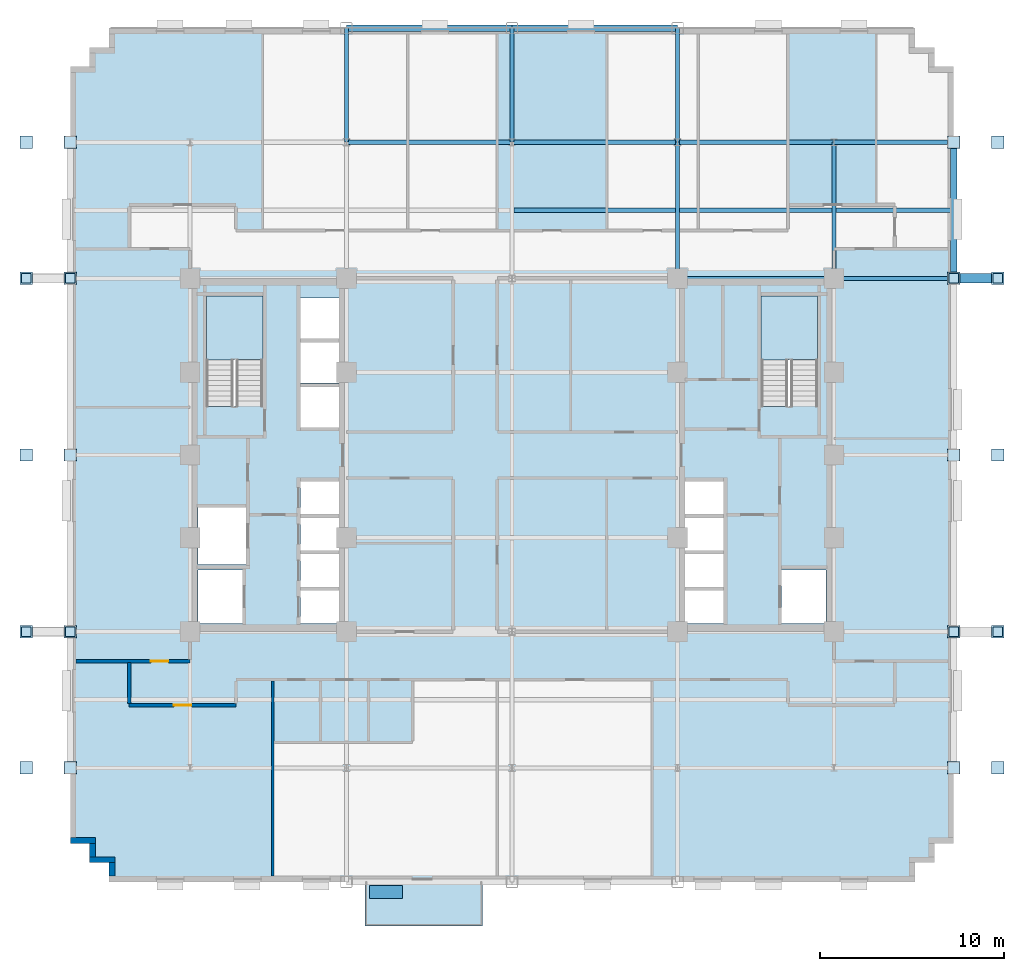
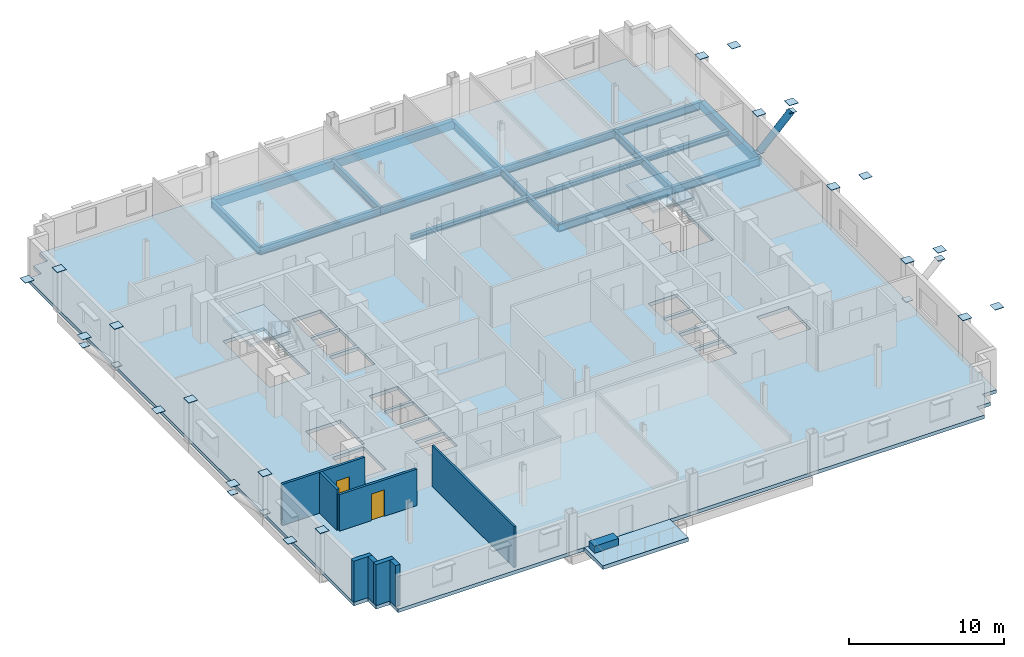
# One storey, part 5 of 14: 29 plates, 17 beams, 8 walls, 4 slabs, 2 doors, 1 member, 2 openings, 2 elements without a shape of their own.
"""IFC4 building model written with IfcOpenShell, lengths in metres."""

from ifc_helpers import new_model, si_unit, direction, frame, frame_2d, origin, origin_2d, place, context, subcontext, project, spatial, polyline, rectangle, hollow_circle, i_section, outline, extrude, source, transform, mapped, material, layer, layer_set, material_profile, profile_set, type_object, type_shapes, element, fill, aggregate, save


model = new_model("IFC4")

# Units and contexts
model_context = context("Model", 3, precision=1e-05, world=origin(), true_north=direction((0.0, 1.0)))
body_context = subcontext(model_context, "Body", "Model", "MODEL_VIEW")
ifc_project = project(units=[si_unit("LENGTHUNIT", "METRE"), si_unit("AREAUNIT", "SQUARE_METRE"), si_unit("VOLUMEUNIT", "CUBIC_METRE"), si_unit("PLANEANGLEUNIT", "RADIAN"), si_unit("MASSUNIT", "GRAM", prefix="KILO")], contexts=[model_context])

# Site, building, storey
site_placement = place(None, origin())
site = spatial("IfcSite", under=ifc_project, at=site_placement, CompositionType="ELEMENT")
building_placement = place(site_placement, origin())
building = spatial("IfcBuilding", under=site, at=building_placement, Name="Nuvemarco Arch Tower", CompositionType="ELEMENT")
storey_placement = place(building_placement, frame((0.0, 0.0, 112.89990234375)))
storey = spatial("IfcBuildingStorey", under=building, at=storey_placement, Name="L29", CompositionType="ELEMENT", Elevation=112.89990234375)

# Beams
ifc_material_1 = material(Name="Steel S355", Category="steel")
ifc_material_profile_1 = material_profile(ifc_material_1, i_section(OverallWidth=0.22998046875, OverallDepth=0.616943359375, WebThickness=0.01318359375, FlangeThickness=0.022216796875, FilletRadius=0.01611328125, at=origin_2d()), Name="W610x140")
ifc_profile_set_1 = profile_set([ifc_material_profile_1], Name="Steel S355")
beam_type_1 = type_object("IfcBeamType", Name="BM-GIRD-610", PredefinedType="BEAM", material=ifc_profile_set_1)
for number, where, z_axis, x_axis, name in (
    (1, (-9.0, 17.0, -0.58837890625), (0.0, 1.0, 0.0), (-1.0, 0.0, 0.0), "L29 structural beam BGNS_L29_0_-9.0_+17.0"),
    (2, (0.0, 17.0, -0.58837890625), (0.0, 1.0, 0.0), (-1.0, 0.0, 0.0), "L29 structural beam BGNS_L29_0_+0.0_+17.0"),
):
    element("IfcBeam", number, at=place(storey_placement, frame(where, z_axis=z_axis, x_axis=x_axis)), inside=storey, type_object=beam_type_1, Name=name, PredefinedType="BEAM", context=body_context, shape_type="SweptSolid", body=[
        extrude(i_section(OverallWidth=0.22998046875, OverallDepth=0.616943359375, WebThickness=0.01318359375, FlangeThickness=0.022216796875, FilletRadius=0.01611328125, at=origin_2d()), origin(), (0.0, 0.0, 1.0), 6.199951171875),
    ])
beam_1_placement = place(storey_placement, frame((9.0, 9.60009765625, -0.58837890625), z_axis=(0.0, 1.0, 0.0), x_axis=(-1.0, 0.0, 0.0)))
element("IfcBeam", 3, at=beam_1_placement, inside=storey, type_object=beam_type_1, Name="L29 structural beam BGNS_L29_0_+9.0_+9.6", PredefinedType="BEAM", context=body_context, shape_type="SweptSolid", body=[
    extrude(i_section(OverallWidth=0.22998046875, OverallDepth=0.616943359375, WebThickness=0.01318359375, FlangeThickness=0.022216796875, FilletRadius=0.01611328125, at=origin_2d()), origin(), (0.0, 0.0, 1.0), 7.39990234375),
])
beam_2_placement = place(storey_placement, frame((9.0, 17.0, -0.58837890625), z_axis=(0.0, 1.0, 0.0), x_axis=(-1.0, 0.0, 0.0)))
element("IfcBeam", 4, at=beam_2_placement, inside=storey, type_object=beam_type_1, Name="L29 structural beam BGNS_L29_0_+9.0_+17.0", PredefinedType="BEAM", context=body_context, shape_type="SweptSolid", body=[
    extrude(i_section(OverallWidth=0.22998046875, OverallDepth=0.616943359375, WebThickness=0.01318359375, FlangeThickness=0.022216796875, FilletRadius=0.01611328125, at=origin_2d()), origin(), (0.0, 0.0, 1.0), 6.199951171875),
])
beam_3_placement = place(storey_placement, frame((17.5, 9.60009765625, -0.58837890625), z_axis=(0.0, 1.0, 0.0), x_axis=(-1.0, 0.0, 0.0)))
element("IfcBeam", 5, at=beam_3_placement, inside=storey, type_object=beam_type_1, Name="L29 structural beam BGNS_L29_0_+17.5_+9.6", PredefinedType="BEAM", context=body_context, shape_type="SweptSolid", body=[
    extrude(i_section(OverallWidth=0.22998046875, OverallDepth=0.616943359375, WebThickness=0.01318359375, FlangeThickness=0.022216796875, FilletRadius=0.01611328125, at=origin_2d()), origin(), (0.0, 0.0, 1.0), 7.39990234375),
])
beam_4_placement = place(storey_placement, frame((9.0, 9.60009765625, -0.58837890625), z_axis=(1.0, 0.0, 0.0), x_axis=(0.0, 1.0, 0.0)))
element("IfcBeam", 6, at=beam_4_placement, inside=storey, type_object=beam_type_1, Name="L29 structural beam BGEW_L29_0_+9.6_+9.0", PredefinedType="BEAM", context=body_context, shape_type="SweptSolid", body=[
    extrude(i_section(OverallWidth=0.22998046875, OverallDepth=0.616943359375, WebThickness=0.01318359375, FlangeThickness=0.022216796875, FilletRadius=0.01611328125, at=origin_2d()), origin(), (0.0, 0.0, 1.0), 8.5),
])
beam_5_placement = place(storey_placement, frame((17.5, 9.60009765625, -0.58837890625), z_axis=(1.0, 0.0, 0.0), x_axis=(0.0, 1.0, 0.0)))
element("IfcBeam", 7, at=beam_5_placement, inside=storey, type_object=beam_type_1, Name="L29 structural beam BGEW_L29_0_+9.6_+17.5", PredefinedType="BEAM", context=body_context, shape_type="SweptSolid", body=[
    extrude(i_section(OverallWidth=0.22998046875, OverallDepth=0.616943359375, WebThickness=0.01318359375, FlangeThickness=0.022216796875, FilletRadius=0.01611328125, at=origin_2d()), origin(), (0.0, 0.0, 1.0), 6.5),
])
for number, where, z_axis, x_axis, name in (
    (8, (-9.0, 17.0, -0.58837890625), (1.0, 0.0, 0.0), (0.0, 1.0, 0.0), "L29 structural beam BGEW_L29_0_+17.0_-9.0"),
    (9, (0.0, 17.0, -0.58837890625), (1.0, 0.0, 0.0), (0.0, 1.0, 0.0), "L29 structural beam BGEW_L29_0_+17.0_+0.0"),
):
    element("IfcBeam", number, at=place(storey_placement, frame(where, z_axis=z_axis, x_axis=x_axis)), inside=storey, type_object=beam_type_1, Name=name, PredefinedType="BEAM", context=body_context, shape_type="SweptSolid", body=[
        extrude(i_section(OverallWidth=0.22998046875, OverallDepth=0.616943359375, WebThickness=0.01318359375, FlangeThickness=0.022216796875, FilletRadius=0.01611328125, at=origin_2d()), origin(), (0.0, 0.0, 1.0), 9.0),
    ])
beam_6_placement = place(storey_placement, frame((9.0, 17.0, -0.58837890625), z_axis=(1.0, 0.0, 0.0), x_axis=(0.0, 1.0, 0.0)))
element("IfcBeam", 10, at=beam_6_placement, inside=storey, type_object=beam_type_1, Name="L29 structural beam BGEW_L29_0_+17.0_+9.0", PredefinedType="BEAM", context=body_context, shape_type="SweptSolid", body=[
    extrude(i_section(OverallWidth=0.22998046875, OverallDepth=0.616943359375, WebThickness=0.01318359375, FlangeThickness=0.022216796875, FilletRadius=0.01611328125, at=origin_2d()), origin(), (0.0, 0.0, 1.0), 8.5),
])
beam_7_placement = place(storey_placement, frame((17.5, 17.0, -0.58837890625), z_axis=(1.0, 0.0, 0.0), x_axis=(0.0, 1.0, 0.0)))
element("IfcBeam", 11, at=beam_7_placement, inside=storey, type_object=beam_type_1, Name="L29 structural beam BGEW_L29_0_+17.0_+17.5", PredefinedType="BEAM", context=body_context, shape_type="SweptSolid", body=[
    extrude(i_section(OverallWidth=0.22998046875, OverallDepth=0.616943359375, WebThickness=0.01318359375, FlangeThickness=0.022216796875, FilletRadius=0.01611328125, at=origin_2d()), origin(), (0.0, 0.0, 1.0), 6.5),
])
ifc_material_profile_2 = material_profile(ifc_material_1, i_section(OverallWidth=0.2548828125, OverallDepth=0.35693359375, WebThickness=0.010498046875, FlangeThickness=0.018310546875, FilletRadius=0.014892578125, at=origin_2d()), Name="W360x101")
ifc_profile_set_2 = profile_set([ifc_material_profile_2], Name="Steel S355")
beam_type_2 = type_object("IfcBeamType", Name="BM-JOIST-360H", PredefinedType="JOIST", material=ifc_profile_set_2)
beam_8_placement = place(storey_placement, frame((0.114990234375, 13.300048828125, -0.45849609375), z_axis=(1.0, 0.0, 0.0), x_axis=(0.0, 1.0, 0.0)))
element("IfcBeam", 12, at=beam_8_placement, inside=storey, type_object=beam_type_2, Name="L29 structural beam BJ_L29_0_+13.3_+0.0", PredefinedType="JOIST", context=body_context, shape_type="SweptSolid", body=[
    extrude(i_section(OverallWidth=0.2548828125, OverallDepth=0.35693359375, WebThickness=0.010498046875, FlangeThickness=0.018310546875, FilletRadius=0.014892578125, at=origin_2d()), origin(), (0.0, 0.0, 1.0), 8.77001953125),
])
beam_9_placement = place(storey_placement, frame((9.114990234375, 13.300048828125, -0.45849609375), z_axis=(1.0, 0.0, 0.0), x_axis=(0.0, 1.0, 0.0)))
element("IfcBeam", 13, at=beam_9_placement, inside=storey, type_object=beam_type_2, Name="L29 structural beam BJ_L29_0_+13.3_+9.0", PredefinedType="JOIST", context=body_context, shape_type="SweptSolid", body=[
    extrude(i_section(OverallWidth=0.2548828125, OverallDepth=0.35693359375, WebThickness=0.010498046875, FlangeThickness=0.018310546875, FilletRadius=0.014892578125, at=origin_2d()), origin(), (0.0, 0.0, 1.0), 8.27001953125),
])
beam_10_placement = place(storey_placement, frame((17.614990234375, 13.300048828125, -0.45849609375), z_axis=(1.0, 0.0, 0.0), x_axis=(0.0, 1.0, 0.0)))
element("IfcBeam", 14, at=beam_10_placement, inside=storey, type_object=beam_type_2, Name="L29 structural beam BJ_L29_0_+13.3_+17.5", PredefinedType="JOIST", context=body_context, shape_type="SweptSolid", body=[
    extrude(i_section(OverallWidth=0.2548828125, OverallDepth=0.35693359375, WebThickness=0.010498046875, FlangeThickness=0.018310546875, FilletRadius=0.014892578125, at=origin_2d()), origin(), (0.0, 0.0, 1.0), 6.2099609375),
])
ifc_material_2 = material(Name="Precast concrete C45/55", Category="concrete")
ifc_material_profile_3 = material_profile(ifc_material_2, rectangle(XDim=0.35009765625, YDim=0.64990234375, at=origin_2d()), Name="PC-SP-350x650")
ifc_profile_set_3 = profile_set([ifc_material_profile_3], Name="Precast concrete C45/55")
beam_type_3 = type_object("IfcBeamType", Name="BM-SPAN-RC", PredefinedType="SPANDREL", material=ifc_profile_set_3)
beam_11_placement = place(storey_placement, frame((24.0, 9.60009765625, -0.60498046875), z_axis=(0.0, 1.0, 0.0), x_axis=(-1.0, 0.0, 0.0)))
element("IfcBeam", 15, at=beam_11_placement, inside=storey, type_object=beam_type_3, Name="L29 structural beam BGNS_L29_0_+24.0_+9.6", PredefinedType="SPANDREL", context=body_context, shape_type="SweptSolid", body=[
    extrude(rectangle(XDim=0.35009765625, YDim=0.64990234375, at=origin_2d()), origin(), (0.0, 0.0, 1.0), 7.39990234375),
])
for number, where, z_axis, x_axis, name in (
    (16, (-9.0, 23.199951171875, -0.60498046875), (1.0, 0.0, 0.0), (0.0, 1.0, 0.0), "L29 structural beam BGEW_L29_0_+23.2_-9.0"),
    (17, (0.0, 23.199951171875, -0.60498046875), (1.0, 0.0, 0.0), (0.0, 1.0, 0.0), "L29 structural beam BGEW_L29_0_+23.2_+0.0"),
):
    element("IfcBeam", number, at=place(storey_placement, frame(where, z_axis=z_axis, x_axis=x_axis)), inside=storey, type_object=beam_type_3, Name=name, PredefinedType="SPANDREL", context=body_context, shape_type="SweptSolid", body=[
        extrude(rectangle(XDim=0.35009765625, YDim=0.64990234375, at=origin_2d()), origin(), (0.0, 0.0, 1.0), 9.0),
    ])

# Member
ifc_material_profile_4 = material_profile(ifc_material_1, hollow_circle(Radius=0.25390625, WallThickness=0.031982421875, at=origin_2d()), Name="CHS508x32")
ifc_profile_set_4 = profile_set([ifc_material_profile_4], Name="Steel S355")
member_type = type_object("IfcMemberType", Name="MB-RAKER-CANT", PredefinedType="STRUT", material=ifc_profile_set_4)
member_placement = place(storey_placement, frame((24.0, 9.60009765625, 0.150146484375), z_axis=(0.707106781187, 0.0, 0.707106781187), x_axis=(0.0, 1.0, 0.0)))
element("IfcMember", 18, at=member_placement, inside=storey, type_object=member_type, Name="L29 outward-step steel raker strut E", PredefinedType="STRUT", context=body_context, shape_type="SweptSolid", body=[
    extrude(hollow_circle(Radius=0.25390625, WallThickness=0.031982421875, at=origin_2d()), origin(), (0.0, 0.0, 1.0), 3.39404296875),
])

# Slab
ifc_material_3 = material(Name="Concrete C50/60", Category="concrete")
ifc_layer_1 = layer(ifc_material_3, 0.280029296875, Name="SL-FLR-280")
ifc_layer_set_1 = layer_set([ifc_layer_1], Name="Concrete C50/60")
slab_type_1 = type_object("IfcSlabType", Name="SL-FLR-280", PredefinedType="FLOOR", material=ifc_layer_set_1)
slab_1_placement = place(storey_placement, frame((0.0, 0.0, -0.27978515625)))
element("IfcSlab", 19, at=slab_1_placement, inside=storey, type_object=slab_type_1, Name="L29 structural floor slab", PredefinedType="FLOOR", context=body_context, shape_type="SweptSolid", body=[
    extrude(outline(polyline([(-21.89990234375, -23.199951171875), (21.89990234375, -23.199951171875), (21.89990234375, -22.14990234375), (22.949951171875, -22.14990234375), (22.949951171875, -21.10009765625), (24.0, -21.10009765625), (24.0, 21.10009765625), (22.949951171875, 21.10009765625), (22.949951171875, 22.14990234375), (21.89990234375, 22.14990234375), (21.89990234375, 23.199951171875), (-21.89990234375, 23.199951171875), (-21.89990234375, 22.14990234375), (-22.949951171875, 22.14990234375), (-22.949951171875, 21.10009765625), (-24.0, 21.10009765625), (-24.0, -21.10009765625), (-22.949951171875, -21.10009765625), (-22.949951171875, -22.14990234375), (-21.89990234375, -22.14990234375), (-21.89990234375, -23.199951171875)]), holes=[polyline([(-13.5400390625, 2.669921875), (-13.5400390625, 8.64990234375), (-16.60009765625, 8.64990234375), (-16.60009765625, 2.630615234375), (-15.070068359375, 2.630615234375), (-15.070068359375, 2.669921875), (-13.5400390625, 2.669921875)]), polyline([(16.60009765625, 2.669921875), (16.60009765625, 8.64990234375), (13.5400390625, 8.64990234375), (13.5400390625, 2.630615234375), (15.070068359375, 2.630615234375), (15.070068359375, 2.669921875), (16.60009765625, 2.669921875)]), polyline([(-17.050048828125, -9.14990234375), (-14.64990234375, -9.14990234375), (-14.64990234375, -6.25), (-17.050048828125, -6.25), (-17.050048828125, -9.14990234375)]), polyline([(-17.050048828125, -5.949951171875), (-14.449951171875, -5.949951171875), (-14.449951171875, -2.85009765625), (-17.050048828125, -2.85009765625), (-17.050048828125, -5.949951171875)]), polyline([(-11.5, -9.14990234375), (-9.35009765625, -9.14990234375), (-9.35009765625, -7.3701171875), (-11.5, -7.3701171875), (-11.5, -9.14990234375)]), polyline([(-11.5, -7.169921875), (-9.35009765625, -7.169921875), (-9.35009765625, -5.389892578125), (-11.5, -5.389892578125), (-11.5, -7.169921875)]), polyline([(-11.5, -5.18994140625), (-9.35009765625, -5.18994140625), (-9.35009765625, -3.409912109375), (-11.5, -3.409912109375), (-11.5, -5.18994140625)]), polyline([(-11.5, -3.2099609375), (-9.35009765625, -3.2099609375), (-9.35009765625, -1.429931640625), (-11.5, -1.429931640625), (-11.5, -3.2099609375)]), polyline([(-11.5, 1.5), (-9.35009765625, 1.5), (-9.35009765625, 3.699951171875), (-11.5, 3.699951171875), (-11.5, 1.5)]), polyline([(-11.5, 3.919921875), (-9.35009765625, 3.919921875), (-9.35009765625, 6.1201171875), (-11.5, 6.1201171875), (-11.5, 3.919921875)]), polyline([(-11.5, 6.340087890625), (-9.35009765625, 6.340087890625), (-9.35009765625, 8.5400390625), (-11.5, 8.5400390625), (-11.5, 6.340087890625)]), polyline([(14.64990234375, -9.14990234375), (17.050048828125, -9.14990234375), (17.050048828125, -6.25), (14.64990234375, -6.25), (14.64990234375, -9.14990234375)]), polyline([(9.35009765625, -9.14990234375), (11.5, -9.14990234375), (11.5, -7.3701171875), (9.35009765625, -7.3701171875), (9.35009765625, -9.14990234375)]), polyline([(9.35009765625, -7.169921875), (11.5, -7.169921875), (11.5, -5.389892578125), (9.35009765625, -5.389892578125), (9.35009765625, -7.169921875)]), polyline([(9.35009765625, -5.18994140625), (11.5, -5.18994140625), (11.5, -3.409912109375), (9.35009765625, -3.409912109375), (9.35009765625, -5.18994140625)]), polyline([(9.35009765625, -3.2099609375), (11.5, -3.2099609375), (11.5, -1.429931640625), (9.35009765625, -1.429931640625), (9.35009765625, -3.2099609375)])]), origin(), (0.0, 0.0, 1.0), 0.27978515625),
])

# Stair, slab
stair_type = type_object("IfcStairType", Name="ST-CORE-20R", PredefinedType="HALF_TURN_STAIR", material=ifc_material_2)
stair_1_placement = place(storey_placement, origin())
stair_1 = element("IfcStair", 20, at=stair_1_placement, inside=storey, type_object=stair_type, Name="L29 Protected Exit Stair ST-1", PredefinedType="HALF_TURN_STAIR")
ifc_layer_2 = layer(ifc_material_2, 0.199951171875, Name="SL-LANDING-200")
ifc_layer_set_2 = layer_set([ifc_layer_2], Name="Precast concrete C45/55")
slab_type_2 = type_object("IfcSlabType", Name="SL-LANDING-200", PredefinedType="LANDING", material=ifc_layer_set_2)
slab_2_placement = place(storey_placement, frame((0.0, 0.0, 1.625)))
slab_2 = element("IfcSlab", 21, at=slab_2_placement, type_object=slab_type_2, Name="ST-20R landing 1", PredefinedType="LANDING", context=body_context, shape_type="SweptSolid", body=[
    extrude(outline(polyline([(-13.5400390625, 5.189453125), (-13.5400390625, 8.64990234375), (-16.60009765625, 8.64990234375), (-16.60009765625, 5.169921875), (-15.070068359375, 5.169921875), (-15.070068359375, 5.189453125), (-13.5400390625, 5.189453125)])), origin(), (0.0, 0.0, 1.0), 0.2001953125),
])
aggregate(stair_1, [slab_2])

stair_2_placement = place(storey_placement, origin())
stair_2 = element("IfcStair", 22, at=stair_2_placement, inside=storey, type_object=stair_type, Name="L29 Protected Exit Stair ST-2", PredefinedType="HALF_TURN_STAIR")
slab_3_placement = place(storey_placement, frame((0.0, 0.0, 1.625)))
slab_3 = element("IfcSlab", 23, at=slab_3_placement, type_object=slab_type_2, Name="ST-20R landing 1", PredefinedType="LANDING", context=body_context, shape_type="SweptSolid", body=[
    extrude(outline(polyline([(16.60009765625, 5.189453125), (16.60009765625, 8.64990234375), (13.5400390625, 8.64990234375), (13.5400390625, 5.169921875), (15.070068359375, 5.169921875), (15.070068359375, 5.189453125), (16.60009765625, 5.189453125)])), origin(), (0.0, 0.0, 1.0), 0.2001953125),
])
aggregate(stair_2, [slab_3])

# Slab
ifc_layer_3 = layer(ifc_material_3, 0.294921875, Name="SL-TR4")
ifc_layer_set_3 = layer_set([ifc_layer_3], Name="Concrete C50/60")
slab_type_3 = type_object("IfcSlabType", Name="SL-TR4", PredefinedType="FLOOR", material=ifc_layer_set_3)
slab_4_placement = place(storey_placement, frame((0.0, 0.0, -0.294921875)))
element("IfcSlab", 24, at=slab_4_placement, inside=storey, type_object=slab_type_3, Name="L29 outdoor spiral terrace slab 1", PredefinedType="FLOOR", context=body_context, shape_type="SweptSolid", body=[
    extrude(outline(polyline([(-8.0, -25.60009765625), (-1.60009765625, -25.60009765625), (-1.60009765625, -23.199951171875), (-8.0, -23.199951171875), (-8.0, -25.60009765625)])), origin(), (0.0, 0.0, 1.0), 0.294921875),
])

# Plates
ifc_layer_4 = layer(ifc_material_1, 0.030029296875, Name="PL-CAP-650-EXT")
ifc_layer_set_4 = layer_set([ifc_layer_4], Name="Steel S355")
plate_type_1 = type_object("IfcPlateType", Name="PL-CAP-650-EXT", PredefinedType="SHEET", material=ifc_layer_set_4)
shared_shape_1 = source(origin(), body_context, "Body", "SweptSolid", [
    extrude(rectangle(XDim=0.669921875, YDim=0.669921875, at=origin_2d()), origin(), (0.0, 0.0, 1.0), 0.030029296875),
])
type_shapes(plate_type_1, [shared_shape_1])
for number, where, z_axis, x_axis, name in (
    (25, (-24.0, -17.0, 3.23486328125), (0.0, 0.0, 1.0), (1.0, 0.0, 0.0), "Hollow steel end-cap plate COL-L29-CX_-24.0_-17.0_TOP"),
    (26, (-24.0, -9.60009765625, 3.23486328125), (0.0, 0.0, 1.0), (1.0, 0.0, 0.0), "Hollow steel end-cap plate COL-L29-CX_-24.0_-9.6_TOP"),
    (27, (-24.0, 0.0, 3.23486328125), (0.0, 0.0, 1.0), (1.0, 0.0, 0.0), "Hollow steel end-cap plate COL-L29-CX_-24.0_+0.0_TOP"),
    (28, (-24.0, 9.60009765625, 3.23486328125), (0.0, 0.0, 1.0), (1.0, 0.0, 0.0), "Hollow steel end-cap plate COL-L29-CX_-24.0_+9.6_TOP"),
    (29, (-24.0, 17.0, 3.23486328125), (0.0, 0.0, 1.0), (1.0, 0.0, 0.0), "Hollow steel end-cap plate COL-L29-CX_-24.0_+17.0_TOP"),
    (30, (24.0, -17.0, 3.23486328125), (0.0, 0.0, 1.0), (1.0, 0.0, 0.0), "Hollow steel end-cap plate COL-L29-CX_+24.0_-17.0_TOP"),
    (31, (24.0, -9.60009765625, 3.23486328125), (0.0, 0.0, 1.0), (1.0, 0.0, 0.0), "Hollow steel end-cap plate COL-L29-CX_+24.0_-9.6_TOP"),
    (32, (24.0, 0.0, 3.23486328125), (0.0, 0.0, 1.0), (1.0, 0.0, 0.0), "Hollow steel end-cap plate COL-L29-CX_+24.0_+0.0_TOP"),
    (33, (24.0, 9.60009765625, 3.23486328125), (0.0, 0.0, 1.0), (1.0, 0.0, 0.0), "Hollow steel end-cap plate COL-L29-CX_+24.0_+9.6_TOP"),
    (34, (24.0, 17.0, 3.23486328125), (0.0, 0.0, 1.0), (1.0, 0.0, 0.0), "Hollow steel end-cap plate COL-L29-CX_+24.0_+17.0_TOP"),
    (35, (-26.39990234375, -17.0, 3.23486328125), (0.0, 0.0, 1.0), (1.0, 0.0, 0.0), "Hollow steel end-cap plate COL-L30-CX_-26.4_-17.0_BOT"),
    (36, (-26.39990234375, -9.60009765625, 3.23486328125), (0.0, 0.0, 1.0), (1.0, 0.0, 0.0), "Hollow steel end-cap plate COL-L30-CX_-26.4_-9.6_BOT"),
    (37, (-26.39990234375, 0.0, 3.23486328125), (0.0, 0.0, 1.0), (1.0, 0.0, 0.0), "Hollow steel end-cap plate COL-L30-CX_-26.4_+0.0_BOT"),
    (38, (-26.39990234375, 9.60009765625, 3.23486328125), (0.0, 0.0, 1.0), (1.0, 0.0, 0.0), "Hollow steel end-cap plate COL-L30-CX_-26.4_+9.6_BOT"),
    (39, (-26.39990234375, 17.0, 3.23486328125), (0.0, 0.0, 1.0), (1.0, 0.0, 0.0), "Hollow steel end-cap plate COL-L30-CX_-26.4_+17.0_BOT"),
    (40, (26.39990234375, -17.0, 3.23486328125), (0.0, 0.0, 1.0), (1.0, 0.0, 0.0), "Hollow steel end-cap plate COL-L30-CX_+26.4_-17.0_BOT"),
    (41, (26.39990234375, -9.60009765625, 3.23486328125), (0.0, 0.0, 1.0), (1.0, 0.0, 0.0), "Hollow steel end-cap plate COL-L30-CX_+26.4_-9.6_BOT"),
    (42, (26.39990234375, 0.0, 3.23486328125), (0.0, 0.0, 1.0), (1.0, 0.0, 0.0), "Hollow steel end-cap plate COL-L30-CX_+26.4_+0.0_BOT"),
    (43, (26.39990234375, 9.60009765625, 3.23486328125), (0.0, 0.0, 1.0), (1.0, 0.0, 0.0), "Hollow steel end-cap plate COL-L30-CX_+26.4_+9.6_BOT"),
    (44, (26.39990234375, 17.0, 3.23486328125), (0.0, 0.0, 1.0), (1.0, 0.0, 0.0), "Hollow steel end-cap plate COL-L30-CX_+26.4_+17.0_BOT"),
):
    element("IfcPlate", number, at=place(storey_placement, frame(where, z_axis=z_axis, x_axis=x_axis)), inside=storey, type_object=plate_type_1, Name=name, PredefinedType="SHEET", context=body_context, shape_type="MappedRepresentation", body=[
        mapped(shared_shape_1, transform((0.0, 0.0, 0.0), scale=1.0)),
    ])
ifc_layer_5 = layer(ifc_material_1, 0.030029296875, Name="PL-CAP-500-EXT")
ifc_layer_set_5 = layer_set([ifc_layer_5], Name="Steel S355")
plate_type_2 = type_object("IfcPlateType", Name="PL-CAP-500-EXT", PredefinedType="SHEET", material=ifc_layer_set_5)
shared_shape_2 = source(origin(), body_context, "Body", "SweptSolid", [
    extrude(rectangle(XDim=0.52001953125, YDim=0.52001953125, at=origin_2d()), origin(), (0.0, 0.0, 1.0), 0.030029296875),
])
type_shapes(plate_type_2, [shared_shape_2])
for number, where, z_axis, x_axis, name in (
    (45, (-24.0, -9.60009765625, 0.13525390625), (0.0, 0.0, 1.0), (1.0, 0.0, 0.0), "Hollow steel end-cap plate RK_L29_W_-9.6_C0"),
    (46, (-26.39990234375, -9.60009765625, 2.53515625), (0.0, 0.0, 1.0), (1.0, 0.0, 0.0), "Hollow steel end-cap plate RK_L29_W_-9.6_C1"),
    (47, (24.0, -9.60009765625, 0.13525390625), (0.0, 0.0, 1.0), (1.0, 0.0, 0.0), "Hollow steel end-cap plate RK_L29_E_-9.6_C0"),
    (48, (26.39990234375, -9.60009765625, 2.53515625), (0.0, 0.0, 1.0), (1.0, 0.0, 0.0), "Hollow steel end-cap plate RK_L29_E_-9.6_C1"),
    (49, (-24.0, 9.60009765625, 0.13525390625), (0.0, 0.0, 1.0), (1.0, 0.0, 0.0), "Hollow steel end-cap plate RK_L29_W_+9.6_C0"),
    (50, (-26.39990234375, 9.60009765625, 2.53515625), (0.0, 0.0, 1.0), (1.0, 0.0, 0.0), "Hollow steel end-cap plate RK_L29_W_+9.6_C1"),
    (51, (24.0, 9.60009765625, 0.13525390625), (0.0, 0.0, 1.0), (1.0, 0.0, 0.0), "Hollow steel end-cap plate RK_L29_E_+9.6_C0"),
    (52, (26.39990234375, 9.60009765625, 2.53515625), (0.0, 0.0, 1.0), (1.0, 0.0, 0.0), "Hollow steel end-cap plate RK_L29_E_+9.6_C1"),
):
    element("IfcPlate", number, at=place(storey_placement, frame(where, z_axis=z_axis, x_axis=x_axis)), inside=storey, type_object=plate_type_2, Name=name, PredefinedType="SHEET", context=body_context, shape_type="MappedRepresentation", body=[
        mapped(shared_shape_2, transform((0.0, 0.0, 0.0), scale=1.0)),
    ])
ifc_layer_6 = layer(ifc_material_2, 0.550048828125, Name="Tree Balcony Structural Planter")
ifc_layer_set_6 = layer_set([ifc_layer_6], Name="Precast concrete C45/55")
plate_type_3 = type_object("IfcPlateType", Name="Tree Balcony Structural Planter", PredefinedType="USERDEFINED", material=ifc_layer_set_6)
shared_shape_3 = source(origin(), body_context, "Body", "SweptSolid", [
    extrude(rectangle(XDim=1.800048828125, YDim=0.699951171875, at=origin_2d()), origin(), (0.0, 0.0, 1.0), 0.550048828125),
])
type_shapes(plate_type_3, [shared_shape_3])
plate_placement = place(storey_placement, frame((-6.85009765625, -23.75, 0.0), z_axis=(0.0, 0.0, 1.0), x_axis=(1.0, 0.0, 0.0)))
element("IfcPlate", 53, at=plate_placement, inside=storey, type_object=plate_type_3, Name="L29 Tree Balcony Structural Planter", ObjectType="PLANTER", PredefinedType="USERDEFINED", context=body_context, shape_type="MappedRepresentation", body=[
    mapped(shared_shape_3, transform((0.0, 0.0, 0.0), scale=1.0)),
])

# Walls
ifc_layer_7 = layer(ifc_material_2, 0.320068359375, Name="EW-MID-320")
ifc_layer_set_7 = layer_set([ifc_layer_7], Name="Precast concrete C45/55")
wall_type_1 = type_object("IfcWallType", Name="EW-MID-320", PredefinedType="STANDARD", material=ifc_layer_set_7)
wall_1_placement = place(storey_placement, frame((-24.0, -20.93994140625, 0.0), z_axis=(0.0, 0.0, 1.0), x_axis=(1.0, 0.0, 0.0)))
element("IfcWall", 54, at=wall_1_placement, inside=storey, type_object=wall_type_1, Name="L29 exterior precast facade wall 17", PredefinedType="STANDARD", context=body_context, shape_type="SweptSolid", body=[
    extrude(rectangle(XDim=1.3701171875, YDim=0.320068359375, at=frame_2d((0.68505859375, 0.0))), origin(), (0.0, 0.0, 1.0), 3.239990234375),
])
wall_2_placement = place(storey_placement, frame((-22.7900390625, -21.833984375, 0.0), z_axis=(0.0, 0.0, 1.0), x_axis=(0.0, 1.0, 0.0)))
element("IfcWall", 55, at=wall_2_placement, inside=storey, type_object=wall_type_1, Name="L29 exterior precast facade wall 18", PredefinedType="STANDARD", context=body_context, shape_type="SweptSolid", body=[
    extrude(rectangle(XDim=0.738037109375, YDim=0.320068359375, at=frame_2d((0.369140625, 0.0))), origin(), (0.0, 0.0, 1.0), 3.239990234375),
])
wall_3_placement = place(storey_placement, frame((-22.949951171875, -21.989990234375, 0.0), z_axis=(0.0, 0.0, 1.0), x_axis=(1.0, 0.0, 0.0)))
element("IfcWall", 56, at=wall_3_placement, inside=storey, type_object=wall_type_1, Name="L29 exterior precast facade wall 19", PredefinedType="STANDARD", context=body_context, shape_type="SweptSolid", body=[
    extrude(rectangle(XDim=1.369873046875, YDim=0.320068359375, at=frame_2d((0.68505859375, 0.0))), origin(), (0.0, 0.0, 1.0), 3.239990234375),
])
wall_4_placement = place(storey_placement, frame((-21.739990234375, -22.884033203125, 0.0), z_axis=(0.0, 0.0, 1.0), x_axis=(0.0, 1.0, 0.0)))
element("IfcWall", 57, at=wall_4_placement, inside=storey, type_object=wall_type_1, Name="L29 exterior precast facade wall 20", PredefinedType="STANDARD", context=body_context, shape_type="SweptSolid", body=[
    extrude(rectangle(XDim=0.738037109375, YDim=0.320068359375, at=frame_2d((0.369140625, 0.0))), origin(), (0.0, 0.0, 1.0), 3.239990234375),
])

# Wall, opening, door
ifc_material_4 = material(Name="Fire-rated gypsum drywall partition")
ifc_layer_8 = layer(ifc_material_4, 0.179931640625, Name="WL-CORR-180")
ifc_layer_set_8 = layer_set([ifc_layer_8], Name="Fire-rated gypsum drywall partition")
wall_type_2 = type_object("IfcWallType", Name="WL-CORR-180", PredefinedType="PARTITIONING", material=ifc_layer_set_8)
wall_5_placement = place(storey_placement, frame((-20.800048828125, -13.60009765625, 0.0), z_axis=(0.0, 0.0, 1.0), x_axis=(1.0, 0.0, 0.0)))
wall_5 = element("IfcWall", 58, at=wall_5_placement, inside=storey, type_object=wall_type_2, Name="L29 interior wall IW-L29-002", PredefinedType="PARTITIONING", context=body_context, shape_type="SweptSolid", body=[
    extrude(rectangle(XDim=5.800048828125, YDim=0.179931640625, at=frame_2d((2.89990234375, 0.0))), origin(), (0.0, 0.0, 1.0), 2.878173828125),
])
opening_1_placement = place(wall_5_placement, frame((2.419921875, 0.0, 0.0)))
opening_1 = element("IfcOpeningElement", 59, at=opening_1_placement, cuts=wall_5, Name="Opening FD-5", PredefinedType="OPENING", context=body_context, shape_type="SweptSolid", body=[
    extrude(rectangle(XDim=0.9599609375, YDim=2.10009765625, at=frame_2d((0.47998046875, 1.050048828125))), frame((0.0, 0.099853515625, 0.0), z_axis=(0.0, -1.0, 0.0), x_axis=(1.0, 0.0, 0.0)), (0.0, 0.0, 1.0), 0.199951171875),
])
ifc_material_5 = material(Name="Timber fire door", Category="wood")
door_type = type_object("IfcDoorType", Name="DR-CORR-FD", OperationType="NOTDEFINED", PredefinedType="DOOR", material=ifc_material_5)
shared_shape_4 = source(origin(), body_context, "Body", "SweptSolid", [
    extrude(rectangle(XDim=0.9599609375, YDim=2.10009765625, at=frame_2d((0.47998046875, 1.050048828125))), frame((0.0, 0.02490234375, 0.0), z_axis=(0.0, -1.0, 0.0), x_axis=(1.0, 0.0, 0.0)), (0.0, 0.0, 1.0), 0.050048828125),
])
type_shapes(door_type, [shared_shape_4])
door_1_placement = place(opening_1_placement, origin())
door_1 = element("IfcDoor", 60, at=door_1_placement, inside=storey, type_object=door_type, Name="L29 door DR-L29-S_1", OperationType="SINGLE_SWING_RIGHT", OverallHeight=2.10009765625, OverallWidth=0.9599609375, PredefinedType="DOOR", context=body_context, shape_type="MappedRepresentation", body=[
    mapped(shared_shape_4, transform((0.0, 0.0, 0.0), scale=1.0)),
])
fill(opening_1, door_1)

wall_6_placement = place(storey_placement, frame((-23.679931640625, -11.199951171875, 0.0), z_axis=(0.0, 0.0, 1.0), x_axis=(1.0, 0.0, 0.0)))
wall_6 = element("IfcWall", 61, at=wall_6_placement, inside=storey, type_object=wall_type_2, Name="L29 interior wall IW-L29-005", PredefinedType="PARTITIONING", context=body_context, shape_type="SweptSolid", body=[
    extrude(rectangle(XDim=6.179931640625, YDim=0.179931640625, at=frame_2d((3.08984375, 0.0))), origin(), (0.0, 0.0, 1.0), 3.239990234375),
])
opening_2_placement = place(wall_6_placement, frame((4.050048828125, 0.0, 0.0)))
opening_2 = element("IfcOpeningElement", 62, at=opening_2_placement, cuts=wall_6, Name="Opening FD-5", PredefinedType="OPENING", context=body_context, shape_type="SweptSolid", body=[
    extrude(rectangle(XDim=0.9599609375, YDim=2.10009765625, at=frame_2d((0.47998046875, 1.050048828125))), frame((0.0, 0.099853515625, 0.0), z_axis=(0.0, -1.0, 0.0), x_axis=(1.0, 0.0, 0.0)), (0.0, 0.0, 1.0), 0.199951171875),
])
door_2_placement = place(opening_2_placement, origin())
door_2 = element("IfcDoor", 63, at=door_2_placement, inside=storey, type_object=door_type, Name="L29 door DR-L29-W_1", OperationType="SINGLE_SWING_RIGHT", OverallHeight=2.10009765625, OverallWidth=0.9599609375, PredefinedType="DOOR", context=body_context, shape_type="MappedRepresentation", body=[
    mapped(shared_shape_4, transform((0.0, 0.0, 0.0), scale=1.0)),
])
fill(opening_2, door_2)

# Walls
wall_7_placement = place(storey_placement, frame((-20.800048828125, -13.513916015625, 0.0), z_axis=(0.0, 0.0, 1.0), x_axis=(0.0, 1.0, 0.0)))
element("IfcWall", 64, at=wall_7_placement, inside=storey, type_object=wall_type_2, Name="L29 interior wall IW-L29-025", PredefinedType="PARTITIONING", context=body_context, shape_type="SweptSolid", body=[
    extrude(rectangle(XDim=2.22802734375, YDim=0.179931640625, at=frame_2d((1.114013671875, 0.0))), origin(), (0.0, 0.0, 1.0), 3.239990234375),
])
ifc_material_6 = material(Name="Moisture-resistant gypsum partition")
ifc_layer_9 = layer(ifc_material_6, 0.14990234375, Name="WL-WET-150")
ifc_layer_set_9 = layer_set([ifc_layer_9], Name="Moisture-resistant gypsum partition")
wall_type_3 = type_object("IfcWallType", Name="WL-WET-150", PredefinedType="PARTITIONING", material=ifc_layer_set_9)
wall_8_placement = place(storey_placement, frame((-13.0, -22.8798828125, 0.0), z_axis=(0.0, 0.0, 1.0), x_axis=(0.0, 1.0, 0.0)))
element("IfcWall", 65, at=wall_8_placement, inside=storey, type_object=wall_type_3, Name="L29 interior wall IW-L29-032", PredefinedType="PARTITIONING", context=body_context, shape_type="SweptSolid", body=[
    extrude(rectangle(XDim=10.593994140625, YDim=0.14990234375, at=frame_2d((5.296875, 0.0))), origin(), (0.0, 0.0, 1.0), 3.239990234375),
])

save(model, "model.ifc")
